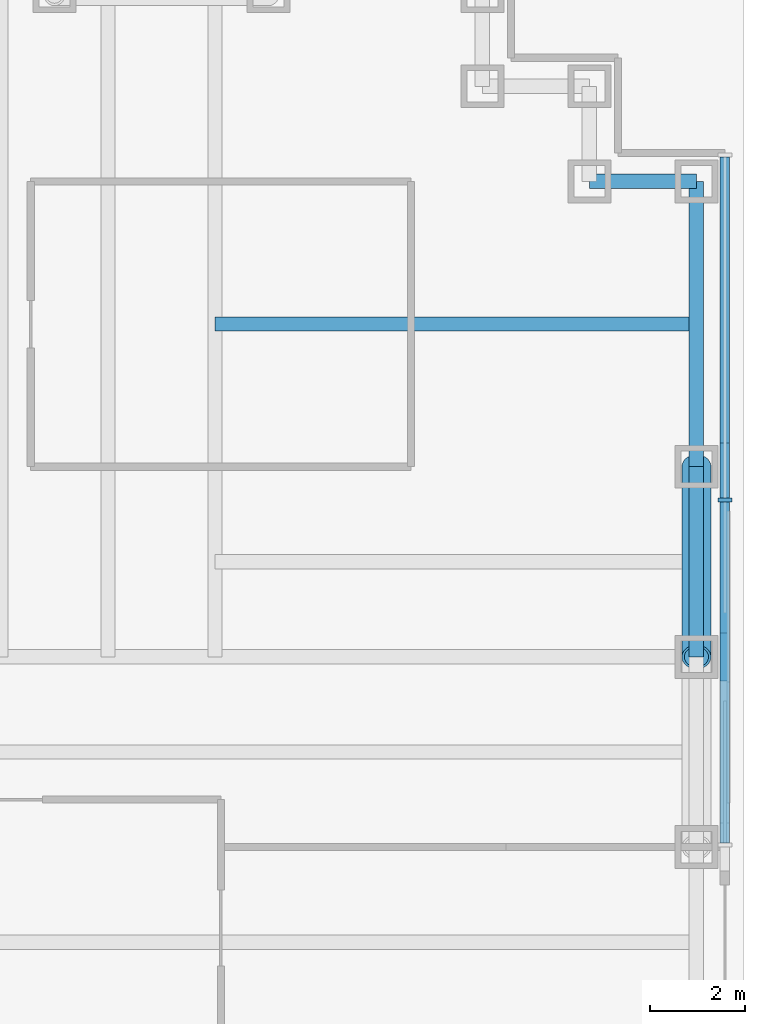
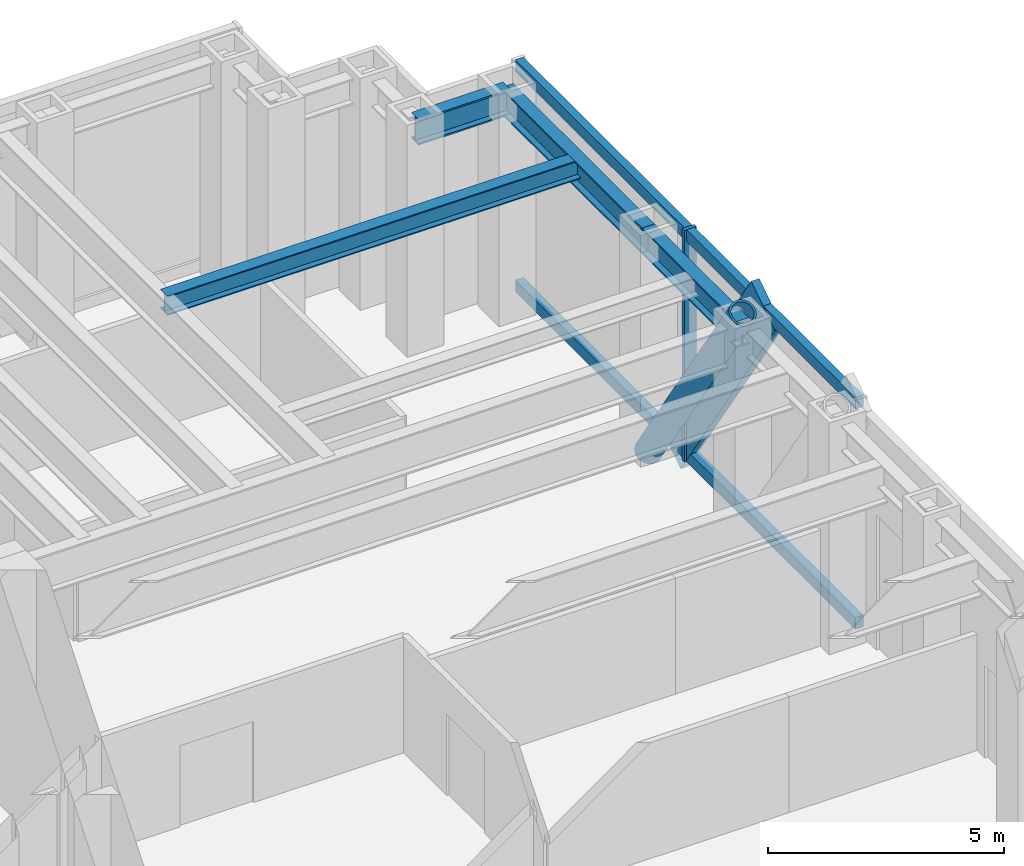
# One storey, part 7 of 17: 7 members, 4 beams, 1 element without a shape of its own.
"""IFC4 building model written with IfcOpenShell, lengths in metres."""

from ifc_helpers import new_model, si_unit, direction, frame, origin, origin_2d, place, context, subcontext, project, spatial, rectangle, hollow_circle, i_section, extrude, material, material_profile, profile_set, type_object, element, aggregate, save


model = new_model("IFC4")

# Units and contexts
model_context = context("Model", 3, precision=1e-05, world=origin(), true_north=direction((0.0, 1.0)))
body_context = subcontext(model_context, "Body", "Model", "MODEL_VIEW")
ifc_project = project(units=[si_unit("LENGTHUNIT", "METRE"), si_unit("AREAUNIT", "SQUARE_METRE"), si_unit("VOLUMEUNIT", "CUBIC_METRE"), si_unit("PLANEANGLEUNIT", "RADIAN"), si_unit("MASSUNIT", "GRAM", prefix="KILO")], contexts=[model_context])

# Site, building, storey
site_placement = place(None, origin())
site = spatial("IfcSite", under=ifc_project, at=site_placement, CompositionType="ELEMENT")
building_placement = place(site_placement, origin())
building = spatial("IfcBuilding", under=site, at=building_placement, Name="Rheinbord Bourse Tower", CompositionType="ELEMENT")
storey_placement = place(building_placement, origin())
storey = spatial("IfcBuildingStorey", under=building, at=storey_placement, Name="L00", CompositionType="ELEMENT", Elevation=0.0)

# Curtain wall, members
ifc_material_1 = material(Name="Dark glass and black aluminium", Category="aluminium")
curtain_wall_type = type_object("IfcCurtainWallType", Name="CW4 DARK GLASS CURTAIN WALL", PredefinedType="USERDEFINED", material=ifc_material_1)
curtain_wall_placement = place(storey_placement, origin())
curtain_wall = element("IfcCurtainWall", 1, at=curtain_wall_placement, inside=storey, type_object=curtain_wall_type, Name="Curtain wall CW4 E L00", ObjectType="UNITISED CURTAIN WALL", PredefinedType="USERDEFINED")
ifc_material_2 = material(Name="Black anodised aluminium", Category="aluminium")
ifc_material_profile_1 = material_profile(ifc_material_2, rectangle(XDim=0.199951171875, YDim=1.2099609375, at=origin_2d()), Name="CW4 DIAGONAL MULLION 1210x200")
ifc_profile_set_1 = profile_set([ifc_material_profile_1], Name="Black anodised aluminium")
member_type_1 = type_object("IfcMemberType", Name="CW4 BLACK DIAGONAL MULLION", PredefinedType="USERDEFINED", material=ifc_profile_set_1)
member_1_placement = place(storey_placement, frame((72.60009765625, 36.0, 0.0), z_axis=(0.0, -0.554700196225, 0.832050294338), x_axis=(1.0, 0.0, 0.0)))
member_1 = element("IfcMember", 2, at=member_1_placement, type_object=member_type_1, Name="CW4 diagonal mullion b", ObjectType="DIAGONAL MULLION", PredefinedType="USERDEFINED", context=body_context, shape_type="SweptSolid", body=[
    extrude(rectangle(XDim=0.199951171875, YDim=1.2099609375, at=origin_2d()), origin(), (0.0, 0.0, 1.0), 7.211181640625),
])
ifc_material_3 = material(Name="Black anodised aluminium", Category="aluminium")
ifc_material_profile_2 = material_profile(ifc_material_3, rectangle(XDim=0.300048828125, YDim=0.090087890625, at=origin_2d()), Name="CW4 MULLION 90x300")
ifc_profile_set_2 = profile_set([ifc_material_profile_2], Name="Black anodised aluminium")
member_type_2 = type_object("IfcMemberType", Name="CW4 BLACK MULLION", PredefinedType="MULLION", material=ifc_profile_set_2)
member_2_placement = place(storey_placement, frame((72.60009765625, 35.300048828125, 0.0), z_axis=(0.0, 0.0, 1.0), x_axis=(-1.0, 0.0, 0.0)))
member_2 = element("IfcMember", 3, at=member_2_placement, type_object=member_type_2, Name="CW4 mullion 2", PredefinedType="MULLION", context=body_context, shape_type="SweptSolid", body=[
    extrude(rectangle(XDim=0.300048828125, YDim=0.090087890625, at=origin_2d()), origin(), (0.0, 0.0, 1.0), 6.0),
])
ifc_material_4 = material(Name="Black anodised aluminium", Category="aluminium")
ifc_material_profile_3 = material_profile(ifc_material_4, rectangle(XDim=0.199951171875, YDim=0.300048828125, at=origin_2d()), Name="CW4 TRANSOM 300x200")
ifc_profile_set_3 = profile_set([ifc_material_profile_3], Name="Black anodised aluminium")
member_type_3 = type_object("IfcMemberType", Name="CW4 BLACK TRANSOM", PredefinedType="USERDEFINED", material=ifc_profile_set_3)
member_3_placement = place(storey_placement, frame((72.60009765625, 28.090087890625, 0.14990234375), z_axis=(0.0, 1.0, 0.0), x_axis=(-1.0, 0.0, 0.0)))
member_3 = element("IfcMember", 4, at=member_3_placement, type_object=member_type_3, Name="CW4 transom 1.1", ObjectType="TRANSOM", PredefinedType="USERDEFINED", context=body_context, shape_type="SweptSolid", body=[
    extrude(rectangle(XDim=0.199951171875, YDim=0.300048828125, at=origin_2d()), origin(), (0.0, 0.0, 1.0), 7.164794921875),
])
member_4_placement = place(storey_placement, frame((72.60009765625, 28.090087890625, 5.85009765625), z_axis=(0.0, 1.0, 0.0), x_axis=(-1.0, 0.0, 0.0)))
member_4 = element("IfcMember", 5, at=member_4_placement, type_object=member_type_3, Name="CW4 transom 1.2", ObjectType="TRANSOM", PredefinedType="USERDEFINED", context=body_context, shape_type="SweptSolid", body=[
    extrude(rectangle(XDim=0.199951171875, YDim=0.300048828125, at=origin_2d()), origin(), (0.0, 0.0, 1.0), 7.164794921875),
])
member_5_placement = place(storey_placement, frame((72.60009765625, 35.344970703125, 0.14990234375), z_axis=(0.0, 1.0, 0.0), x_axis=(-1.0, 0.0, 0.0)))
member_5 = element("IfcMember", 6, at=member_5_placement, type_object=member_type_3, Name="CW4 transom 2.1", ObjectType="TRANSOM", PredefinedType="USERDEFINED", context=body_context, shape_type="SweptSolid", body=[
    extrude(rectangle(XDim=0.199951171875, YDim=0.300048828125, at=origin_2d()), origin(), (0.0, 0.0, 1.0), 7.1650390625),
])
member_6_placement = place(storey_placement, frame((72.60009765625, 35.344970703125, 5.85009765625), z_axis=(0.0, 1.0, 0.0), x_axis=(-1.0, 0.0, 0.0)))
member_6 = element("IfcMember", 7, at=member_6_placement, type_object=member_type_3, Name="CW4 transom 2.2", ObjectType="TRANSOM", PredefinedType="USERDEFINED", context=body_context, shape_type="SweptSolid", body=[
    extrude(rectangle(XDim=0.199951171875, YDim=0.300048828125, at=origin_2d()), origin(), (0.0, 0.0, 1.0), 7.1650390625),
])
aggregate(curtain_wall, [member_2, member_3, member_4, member_5, member_6, member_1])

# Member
ifc_material_5 = material(Name="Steel S460", Category="steel")
ifc_material_profile_4 = material_profile(ifc_material_5, hollow_circle(Radius=0.304931640625, WallThickness=0.050048828125, at=origin_2d()), Name="CHS 610x50")
ifc_profile_set_4 = profile_set([ifc_material_profile_4], Name="Steel S460")
member_type_4 = type_object("IfcMemberType", Name="MEGABRACE CHS 610x50", PredefinedType="BRACE", material=ifc_profile_set_4)
member_7_placement = place(storey_placement, frame((72.0, 36.0, 0.0), z_axis=(0.0, -0.554700196225, 0.832050294338), x_axis=(1.0, 0.0, 0.0)))
element("IfcMember", 8, at=member_7_placement, inside=storey, type_object=member_type_4, Name="Megabrace E face line b L00", PredefinedType="BRACE", context=body_context, shape_type="SweptSolid", body=[
    extrude(hollow_circle(Radius=0.304931640625, WallThickness=0.050048828125, at=origin_2d()), origin(), (0.0, 0.0, 1.0), 7.211181640625),
])

# Beams
ifc_material_6 = material(Name="Steel S460", Category="steel")
ifc_material_profile_5 = material_profile(ifc_material_6, i_section(OverallWidth=0.304931640625, OverallDepth=0.66796875, WebThickness=0.02099609375, FlangeThickness=0.0400390625, at=origin_2d()), Name="HEM 650")
ifc_profile_set_5 = profile_set([ifc_material_profile_5], Name="Steel S460")
beam_type_1 = type_object("IfcBeamType", Name="SPANDREL HEM 650", PredefinedType="SPANDREL", material=ifc_profile_set_5)
beam_1_placement = place(storey_placement, frame((72.0, 32.0, 5.486083984375), z_axis=(0.0, 1.0, 0.0), x_axis=(-1.0, 0.0, 0.0)))
element("IfcBeam", 9, at=beam_1_placement, inside=storey, type_object=beam_type_1, Name="Spandrel E-32-E-36 under L01", PredefinedType="SPANDREL", context=body_context, shape_type="SweptSolid", body=[
    extrude(i_section(OverallWidth=0.304931640625, OverallDepth=0.66796875, WebThickness=0.02099609375, FlangeThickness=0.0400390625, at=origin_2d()), origin(), (0.0, 0.0, 1.0), 4.0),
])
beam_2_placement = place(storey_placement, frame((72.0, 36.0, 5.486083984375), z_axis=(0.0, 1.0, 0.0), x_axis=(-1.0, 0.0, 0.0)))
element("IfcBeam", 10, at=beam_2_placement, inside=storey, type_object=beam_type_1, Name="Spandrel E-36-NE-A under L01", PredefinedType="SPANDREL", context=body_context, shape_type="SweptSolid", body=[
    extrude(i_section(OverallWidth=0.304931640625, OverallDepth=0.66796875, WebThickness=0.02099609375, FlangeThickness=0.0400390625, at=origin_2d()), origin(), (0.0, 0.0, 1.0), 6.0),
])
beam_3_placement = place(storey_placement, frame((72.0, 42.0, 5.486083984375), z_axis=(-1.0, 0.0, 0.0), x_axis=(0.0, -1.0, 0.0)))
element("IfcBeam", 11, at=beam_3_placement, inside=storey, type_object=beam_type_1, Name="Spandrel NE-A-NE-B under L01", PredefinedType="SPANDREL", context=body_context, shape_type="SweptSolid", body=[
    extrude(i_section(OverallWidth=0.304931640625, OverallDepth=0.66796875, WebThickness=0.02099609375, FlangeThickness=0.0400390625, at=origin_2d()), origin(), (0.0, 0.0, 1.0), 2.25),
])
ifc_material_7 = material(Name="Steel S460", Category="steel")
ifc_material_profile_6 = material_profile(ifc_material_7, i_section(OverallWidth=0.300048828125, OverallDepth=0.5, WebThickness=0.014404296875, FlangeThickness=0.028076171875, at=origin_2d()), Name="HEB 500")
ifc_profile_set_6 = profile_set([ifc_material_profile_6], Name="Steel S460")
beam_type_2 = type_object("IfcBeamType", Name="TIE BEAM HEB 500", PredefinedType="JOIST", material=ifc_profile_set_6)
beam_4_placement = place(storey_placement, frame((61.875, 39.0, 5.570068359375), z_axis=(1.0, 0.0, 0.0), x_axis=(0.0, 1.0, 0.0)))
element("IfcBeam", 12, at=beam_4_placement, inside=storey, type_object=beam_type_2, Name="Tie east 39 L01", PredefinedType="JOIST", context=body_context, shape_type="SweptSolid", body=[
    extrude(i_section(OverallWidth=0.300048828125, OverallDepth=0.5, WebThickness=0.014404296875, FlangeThickness=0.028076171875, at=origin_2d()), origin(), (0.0, 0.0, 1.0), 10.125),
])

save(model, "model.ifc")
